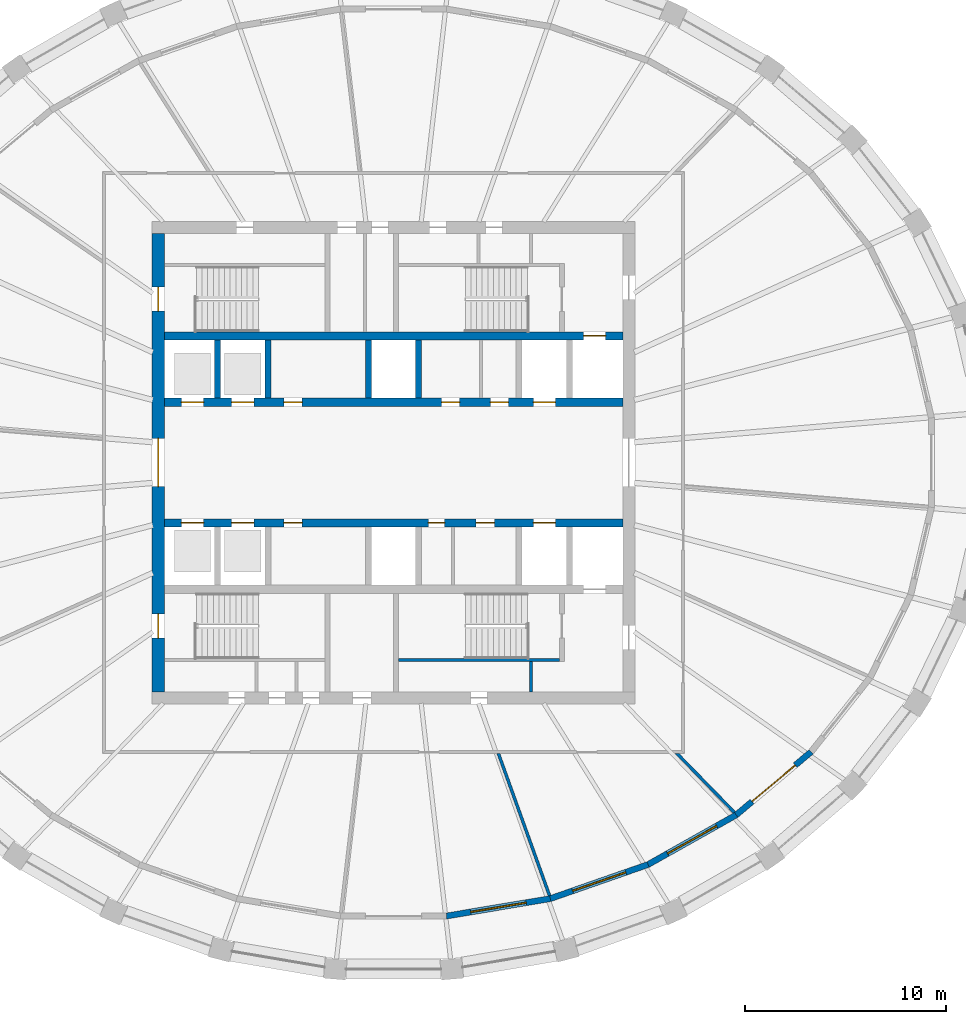
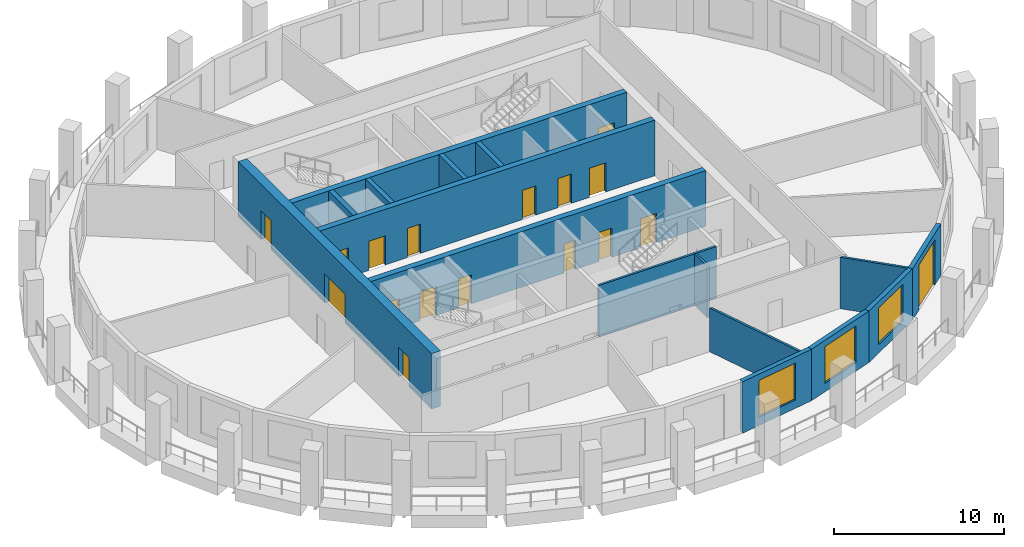
# One storey, part 4 of 10: 17 doors, 16 walls, 3 windows, 20 openings.
"""IFC4 building model written with IfcOpenShell, lengths in metres."""

from ifc_helpers import new_model, si_unit, direction, frame, frame_2d, origin, place, context, subcontext, project, spatial, polyline, rectangle, outline, extrude, material, layer, layer_set, type_object, element, fill, save


model = new_model("IFC4")

# Units and contexts
model_context = context("Model", 3, precision=1e-05, world=origin(), true_north=direction((0.0, 1.0)))
body_context = subcontext(model_context, "Body", "Model", "MODEL_VIEW")
ifc_project = project(units=[si_unit("LENGTHUNIT", "METRE"), si_unit("AREAUNIT", "SQUARE_METRE"), si_unit("VOLUMEUNIT", "CUBIC_METRE"), si_unit("PLANEANGLEUNIT", "RADIAN"), si_unit("MASSUNIT", "GRAM", prefix="KILO")], contexts=[model_context])

# Site, building, storey
site_placement = place(None, origin())
site = spatial("IfcSite", under=ifc_project, at=site_placement, CompositionType="ELEMENT")
building_placement = place(site_placement, origin())
building = spatial("IfcBuilding", under=site, at=building_placement, Name="Halqa Exchange Tower", CompositionType="ELEMENT")
storey_placement = place(building_placement, frame((0.0, 0.0, 284.300048828125)))
storey = spatial("IfcBuildingStorey", under=building, at=storey_placement, Name="L66", CompositionType="ELEMENT", Elevation=284.300048828125)

# Walls
ifc_material_1 = material(Name="Fire-rated gypsum board")
ifc_layer_1 = layer(ifc_material_1, 0.14990234375)
ifc_layer_set_1 = layer_set([ifc_layer_1], Name="Fire-rated gypsum board")
wall_type_1 = type_object("IfcWallType", Name="Fire partition EI 60 150", PredefinedType="PARTITIONING", material=ifc_layer_set_1)
wall_1_placement = place(storey_placement, frame((5.2080078125, -14.449951171875, 0.0), z_axis=(0.0, 0.0, 1.0), x_axis=(0.338585214783, -0.940935732306, 0.0)))
element("IfcWall", 1, at=wall_1_placement, inside=storey, type_object=wall_type_1, Name="L66-PWL-010", PredefinedType="PARTITIONING", context=body_context, shape_type="SweptSolid", body=[
    extrude(outline(polyline([(0.0, -0.074951171875), (1.880126953125, -0.074951171875), (3.76025390625, -0.074951171875), (5.640380859375, -0.074951171875), (7.5205078125, -0.074951171875), (7.533935546875, -0.000732421875), (7.534423828125, 0.054931640625), (7.534423828125, 0.074951171875), (5.664306640625, 0.074951171875), (3.7939453125, 0.074951171875), (1.923828125, 0.074951171875), (0.0537109375, 0.074951171875), (0.0, -0.073974609375), (0.0, -0.074951171875)])), origin(), (0.0, 0.0, 1.0), 3.14990234375),
])
wall_2_placement = place(storey_placement, frame((16.958251953125, -17.40283203125, 0.0), z_axis=(0.0, 0.0, 1.0), x_axis=(-0.698164782934, 0.715937103293, 0.0)))
element("IfcWall", 2, at=wall_2_placement, inside=storey, type_object=wall_type_1, Name="L66-PWL-015", PredefinedType="PARTITIONING", context=body_context, shape_type="SweptSolid", body=[
    extrude(outline(polyline([(0.0, -0.074951171875), (1.3388671875, -0.074951171875), (2.677734375, -0.074951171875), (4.016357421875, -0.074951171875), (4.0693359375, -0.020751953125), (4.0693359375, -0.020751953125), (4.162353515625, 0.07470703125), (4.162353515625, 0.074951171875), (2.783203125, 0.074951171875), (1.404052734375, 0.074951171875), (0.02490234375, 0.074951171875), (0.0048828125, -0.000244140625), (0.0, -0.0673828125), (0.0, -0.074951171875)])), origin(), (0.0, 0.0, 1.0), 3.699951171875),
])
ifc_material_2 = material(Name="Gypsum board")
ifc_layer_2 = layer(ifc_material_2, 0.14990234375)
ifc_layer_set_2 = layer_set([ifc_layer_2], Name="Gypsum board")
wall_type_2 = type_object("IfcWallType", Name="Penthouse riser wall 150 gypsum", PredefinedType="PARTITIONING", material=ifc_layer_set_2)
wall_3_placement = place(storey_placement, frame((6.824951171875, -11.39990234375, 0.0), z_axis=(0.0, 0.0, 1.0), x_axis=(0.0, 1.0, 0.0)))
element("IfcWall", 3, at=wall_3_placement, inside=storey, type_object=wall_type_2, Name="Firefighting lobby west wall S", PredefinedType="PARTITIONING", context=body_context, shape_type="SweptSolid", body=[
    extrude(rectangle(XDim=1.5, YDim=0.14990234375, at=frame_2d((0.75, 0.0))), origin(), (0.0, 0.0, 1.0), 3.699951171875),
])
ifc_material_3 = material(Name="Concrete C60/75", Category="concrete")
ifc_layer_3 = layer(ifc_material_3, 0.300048828125)
ifc_layer_set_3 = layer_set([ifc_layer_3], Name="Concrete C60/75")
wall_type_3 = type_object("IfcWallType", Name="RC core wall 300", PredefinedType="SHEAR", material=ifc_layer_set_3)
for number, where, z_axis, x_axis, name in (
    (4, (-8.75, 3.199951171875, 0.0), (0.0, 0.0, 1.0), (0.0, 1.0, 0.0), "Shaft divider N1"),
    (5, (-6.25, 3.199951171875, 0.0), (0.0, 0.0, 1.0), (0.0, 1.0, 0.0), "Shaft divider N2"),
    (6, (-1.25, 3.199951171875, 0.0), (0.0, 0.0, 1.0), (0.0, 1.0, 0.0), "Shaft divider N4"),
    (7, (1.25, 3.199951171875, 0.0), (0.0, 0.0, 1.0), (0.0, 1.0, 0.0), "Shaft divider N5"),
):
    element("IfcWall", number, at=place(storey_placement, frame(where, z_axis=z_axis, x_axis=x_axis)), inside=storey, type_object=wall_type_3, Name=name, PredefinedType="SHEAR", context=body_context, shape_type="SweptSolid", body=[
        extrude(rectangle(XDim=2.900146484375, YDim=0.300048828125, at=frame_2d((1.4501953125, 0.0))), origin(), (0.0, 0.0, 1.0), 4.0),
    ])

# Wall, openings, doors
ifc_layer_4 = layer(ifc_material_3, 0.39990234375)
ifc_layer_set_4 = layer_set([ifc_layer_4], Name="Concrete C60/75")
wall_type_4 = type_object("IfcWallType", Name="RC core wall 400 C60/75", PredefinedType="SHEAR", material=ifc_layer_set_4)
wall_4_placement = place(storey_placement, frame((-11.39990234375, 3.0, 0.0), z_axis=(0.0, 0.0, 1.0), x_axis=(1.0, 0.0, 0.0)))
wall_4 = element("IfcWall", 8, at=wall_4_placement, inside=storey, type_object=wall_type_4, Name="Lift row front wall N", PredefinedType="SHEAR", context=body_context, shape_type="SweptSolid", body=[
    extrude(rectangle(XDim=22.7998046875, YDim=0.39990234375, at=frame_2d((11.39990234375, 0.0))), origin(), (0.0, 0.0, 1.0), 4.0),
])
opening_1_placement = place(wall_4_placement, frame((0.85009765625, 0.0, 0.0)))
opening_1 = element("IfcOpeningElement", 9, at=opening_1_placement, cuts=wall_4, Name="Opening LD-HR1-T20", PredefinedType="OPENING", context=body_context, shape_type="SweptSolid", body=[
    extrude(rectangle(XDim=1.10009765625, YDim=2.10009765625, at=frame_2d((0.550048828125, 1.050048828125))), frame((0.0, 0.2119140625, 0.0), z_axis=(0.0, -1.0, 0.0), x_axis=(1.0, 0.0, 0.0)), (0.0, 0.0, 1.0), 0.423828125),
])
opening_2_placement = place(wall_4_placement, frame((3.35009765625, 0.0, 0.0)))
opening_2 = element("IfcOpeningElement", 10, at=opening_2_placement, cuts=wall_4, Name="Opening LD-HR2-T20", PredefinedType="OPENING", context=body_context, shape_type="SweptSolid", body=[
    extrude(rectangle(XDim=1.10009765625, YDim=2.10009765625, at=frame_2d((0.550048828125, 1.050048828125))), frame((0.0, 0.2119140625, 0.0), z_axis=(0.0, -1.0, 0.0), x_axis=(1.0, 0.0, 0.0)), (0.0, 0.0, 1.0), 0.423828125),
])
opening_3_placement = place(wall_4_placement, frame((18.35009765625, 0.0, 0.0)))
opening_3 = element("IfcOpeningElement", 11, at=opening_3_placement, cuts=wall_4, Name="Opening LD-SV1-T20", PredefinedType="OPENING", context=body_context, shape_type="SweptSolid", body=[
    extrude(rectangle(XDim=1.10009765625, YDim=2.10009765625, at=frame_2d((0.550048828125, 1.050048828125))), frame((0.0, 0.2119140625, 0.0), z_axis=(0.0, -1.0, 0.0), x_axis=(1.0, 0.0, 0.0)), (0.0, 0.0, 1.0), 0.423828125),
])
opening_4_placement = place(wall_4_placement, frame((13.78759765625, 0.0, 0.0)))
opening_4 = element("IfcOpeningElement", 12, at=opening_4_placement, cuts=wall_4, Name="Opening T20-C27", PredefinedType="OPENING", context=body_context, shape_type="SweptSolid", body=[
    extrude(rectangle(XDim=0.89990234375, YDim=2.10009765625, at=frame_2d((0.449951171875, 1.050048828125))), frame((0.0, 0.2119140625, 0.0), z_axis=(0.0, -1.0, 0.0), x_axis=(1.0, 0.0, 0.0)), (0.0, 0.0, 1.0), 0.423828125),
])
opening_5_placement = place(wall_4_placement, frame((16.21240234375, 0.0, 0.0)))
opening_5 = element("IfcOpeningElement", 13, at=opening_5_placement, cuts=wall_4, Name="Opening T20-C28", PredefinedType="OPENING", context=body_context, shape_type="SweptSolid", body=[
    extrude(rectangle(XDim=0.89990234375, YDim=2.10009765625, at=frame_2d((0.449951171875, 1.050048828125))), frame((0.0, 0.2119140625, 0.0), z_axis=(0.0, -1.0, 0.0), x_axis=(1.0, 0.0, 0.0)), (0.0, 0.0, 1.0), 0.423828125),
])
opening_6_placement = place(wall_4_placement, frame((5.949951171875, 0.0, 0.0)))
opening_6 = element("IfcOpeningElement", 14, at=opening_6_placement, cuts=wall_4, Name="Opening T20-C29", PredefinedType="OPENING", context=body_context, shape_type="SweptSolid", body=[
    extrude(rectangle(XDim=0.89990234375, YDim=2.10009765625, at=frame_2d((0.449951171875, 1.050048828125))), frame((0.0, 0.2119140625, 0.0), z_axis=(0.0, -1.0, 0.0), x_axis=(1.0, 0.0, 0.0)), (0.0, 0.0, 1.0), 0.423828125),
])
ifc_material_4 = material(Name="Timber fire door leaf", Category="wood")
door_type_1 = type_object("IfcDoorType", Name="Core room door FD30 900 x 2100", OperationType="SINGLE_SWING_LEFT", PredefinedType="DOOR", material=ifc_material_4)
door_1_placement = place(opening_4_placement, origin())
door_1 = element("IfcDoor", 15, at=door_1_placement, inside=storey, type_object=door_type_1, Name="Core room door", OperationType="SINGLE_SWING_RIGHT", OverallHeight=2.10009765625, OverallWidth=0.89990234375, PredefinedType="DOOR", context=body_context, shape_type="SweptSolid", body=[
    extrude(rectangle(XDim=0.89990234375, YDim=2.10009765625, at=frame_2d((0.449951171875, 1.050048828125))), frame((0.0, 0.02490234375, 0.0), z_axis=(0.0, -1.0, 0.0), x_axis=(1.0, 0.0, 0.0)), (0.0, 0.0, 1.0), 0.050048828125),
])
fill(opening_4, door_1)
door_2_placement = place(opening_5_placement, origin())
door_2 = element("IfcDoor", 16, at=door_2_placement, inside=storey, type_object=door_type_1, Name="Core room door", OperationType="SINGLE_SWING_LEFT", OverallHeight=2.10009765625, OverallWidth=0.89990234375, PredefinedType="DOOR", context=body_context, shape_type="SweptSolid", body=[
    extrude(rectangle(XDim=0.89990234375, YDim=2.10009765625, at=frame_2d((0.449951171875, 1.050048828125))), frame((0.0, 0.02490234375, 0.0), z_axis=(0.0, -1.0, 0.0), x_axis=(1.0, 0.0, 0.0)), (0.0, 0.0, 1.0), 0.050048828125),
])
fill(opening_5, door_2)
door_3_placement = place(opening_6_placement, origin())
door_3 = element("IfcDoor", 17, at=door_3_placement, inside=storey, type_object=door_type_1, Name="Core room door", OperationType="SINGLE_SWING_RIGHT", OverallHeight=2.10009765625, OverallWidth=0.89990234375, PredefinedType="DOOR", context=body_context, shape_type="SweptSolid", body=[
    extrude(rectangle(XDim=0.89990234375, YDim=2.10009765625, at=frame_2d((0.449951171875, 1.050048828125))), frame((0.0, 0.02490234375, 0.0), z_axis=(0.0, -1.0, 0.0), x_axis=(1.0, 0.0, 0.0)), (0.0, 0.0, 1.0), 0.050048828125),
])
fill(opening_6, door_3)
ifc_material_5 = material(Name="Stainless steel", Category="steel")
door_type_2 = type_object("IfcDoorType", Name="Lift landing door 1100 x 2100", OperationType="SLIDING_TO_LEFT", PredefinedType="DOOR", material=ifc_material_5)
door_4_placement = place(opening_1_placement, origin())
door_4 = element("IfcDoor", 18, at=door_4_placement, inside=storey, type_object=door_type_2, Name="Lift landing door HR1", OperationType="SLIDING_TO_LEFT", OverallHeight=2.10009765625, OverallWidth=1.10009765625, PredefinedType="DOOR", context=body_context, shape_type="SweptSolid", body=[
    extrude(rectangle(XDim=1.10009765625, YDim=2.10009765625, at=frame_2d((0.550048828125, 1.050048828125))), frame((0.0, 0.02490234375, 0.0), z_axis=(0.0, -1.0, 0.0), x_axis=(1.0, 0.0, 0.0)), (0.0, 0.0, 1.0), 0.050048828125),
])
fill(opening_1, door_4)
door_5_placement = place(opening_2_placement, origin())
door_5 = element("IfcDoor", 19, at=door_5_placement, inside=storey, type_object=door_type_2, Name="Lift landing door HR2", OperationType="SLIDING_TO_LEFT", OverallHeight=2.10009765625, OverallWidth=1.10009765625, PredefinedType="DOOR", context=body_context, shape_type="SweptSolid", body=[
    extrude(rectangle(XDim=1.10009765625, YDim=2.10009765625, at=frame_2d((0.550048828125, 1.050048828125))), frame((0.0, 0.02490234375, 0.0), z_axis=(0.0, -1.0, 0.0), x_axis=(1.0, 0.0, 0.0)), (0.0, 0.0, 1.0), 0.050048828125),
])
fill(opening_2, door_5)
door_6_placement = place(opening_3_placement, origin())
door_6 = element("IfcDoor", 20, at=door_6_placement, inside=storey, type_object=door_type_2, Name="Lift landing door SV1", OperationType="SLIDING_TO_LEFT", OverallHeight=2.10009765625, OverallWidth=1.10009765625, PredefinedType="DOOR", context=body_context, shape_type="SweptSolid", body=[
    extrude(rectangle(XDim=1.10009765625, YDim=2.10009765625, at=frame_2d((0.550048828125, 1.050048828125))), frame((0.0, 0.02490234375, 0.0), z_axis=(0.0, -1.0, 0.0), x_axis=(1.0, 0.0, 0.0)), (0.0, 0.0, 1.0), 0.050048828125),
])
fill(opening_3, door_6)

# Wall, opening, door
wall_5_placement = place(storey_placement, frame((-11.39990234375, 6.300048828125, 0.0), z_axis=(0.0, 0.0, 1.0), x_axis=(1.0, 0.0, 0.0)))
wall_5 = element("IfcWall", 21, at=wall_5_placement, inside=storey, type_object=wall_type_4, Name="Lift row back wall N", PredefinedType="SHEAR", context=body_context, shape_type="SweptSolid", body=[
    extrude(rectangle(XDim=22.7998046875, YDim=0.39990234375, at=frame_2d((11.39990234375, 0.0))), origin(), (0.0, 0.0, 1.0), 4.0),
])
opening_7_placement = place(wall_5_placement, frame((20.85009765625, 0.0, 0.0)))
opening_7 = element("IfcOpeningElement", 22, at=opening_7_placement, cuts=wall_5, Name="Opening LD-FF1-T20", PredefinedType="OPENING", context=body_context, shape_type="SweptSolid", body=[
    extrude(rectangle(XDim=1.10009765625, YDim=2.10009765625, at=frame_2d((0.550048828125, 1.050048828125))), frame((0.0, 0.2119140625, 0.0), z_axis=(0.0, -1.0, 0.0), x_axis=(1.0, 0.0, 0.0)), (0.0, 0.0, 1.0), 0.423828125),
])
door_7_placement = place(opening_7_placement, origin())
door_7 = element("IfcDoor", 23, at=door_7_placement, inside=storey, type_object=door_type_2, Name="Lift landing door FF1", OperationType="SLIDING_TO_LEFT", OverallHeight=2.10009765625, OverallWidth=1.10009765625, PredefinedType="DOOR", context=body_context, shape_type="SweptSolid", body=[
    extrude(rectangle(XDim=1.10009765625, YDim=2.10009765625, at=frame_2d((0.550048828125, 1.050048828125))), frame((0.0, 0.02490234375, 0.0), z_axis=(0.0, -1.0, 0.0), x_axis=(1.0, 0.0, 0.0)), (0.0, 0.0, 1.0), 0.050048828125),
])
fill(opening_7, door_7)

# Wall, openings, doors
wall_6_placement = place(storey_placement, frame((-11.39990234375, -3.0, 0.0), z_axis=(0.0, 0.0, 1.0), x_axis=(1.0, 0.0, 0.0)))
wall_6 = element("IfcWall", 24, at=wall_6_placement, inside=storey, type_object=wall_type_4, Name="Lift row front wall S", PredefinedType="SHEAR", context=body_context, shape_type="SweptSolid", body=[
    extrude(rectangle(XDim=22.7998046875, YDim=0.39990234375, at=frame_2d((11.39990234375, 0.0))), origin(), (0.0, 0.0, 1.0), 4.0),
])
opening_8_placement = place(wall_6_placement, frame((0.85009765625, 0.0, 0.0)))
opening_8 = element("IfcOpeningElement", 25, at=opening_8_placement, cuts=wall_6, Name="Opening LD-HR3-T20", PredefinedType="OPENING", context=body_context, shape_type="SweptSolid", body=[
    extrude(rectangle(XDim=1.10009765625, YDim=2.10009765625, at=frame_2d((0.550048828125, 1.050048828125))), frame((0.0, 0.2119140625, 0.0), z_axis=(0.0, -1.0, 0.0), x_axis=(1.0, 0.0, 0.0)), (0.0, 0.0, 1.0), 0.423828125),
])
opening_9_placement = place(wall_6_placement, frame((3.35009765625, 0.0, 0.0)))
opening_9 = element("IfcOpeningElement", 26, at=opening_9_placement, cuts=wall_6, Name="Opening LD-HR4-T20", PredefinedType="OPENING", context=body_context, shape_type="SweptSolid", body=[
    extrude(rectangle(XDim=1.10009765625, YDim=2.10009765625, at=frame_2d((0.550048828125, 1.050048828125))), frame((0.0, 0.2119140625, 0.0), z_axis=(0.0, -1.0, 0.0), x_axis=(1.0, 0.0, 0.0)), (0.0, 0.0, 1.0), 0.423828125),
])
opening_10_placement = place(wall_6_placement, frame((18.35009765625, 0.0, 0.0)))
opening_10 = element("IfcOpeningElement", 27, at=opening_10_placement, cuts=wall_6, Name="Opening LD-SV2-T20", PredefinedType="OPENING", context=body_context, shape_type="SweptSolid", body=[
    extrude(rectangle(XDim=1.10009765625, YDim=2.10009765625, at=frame_2d((0.550048828125, 1.050048828125))), frame((0.0, 0.2119140625, 0.0), z_axis=(0.0, -1.0, 0.0), x_axis=(1.0, 0.0, 0.0)), (0.0, 0.0, 1.0), 0.423828125),
])
opening_11_placement = place(wall_6_placement, frame((13.137451171875, 0.0, 0.0)))
opening_11 = element("IfcOpeningElement", 28, at=opening_11_placement, cuts=wall_6, Name="Opening T20-C30", PredefinedType="OPENING", context=body_context, shape_type="SweptSolid", body=[
    extrude(rectangle(XDim=0.800048828125, YDim=2.10009765625, at=frame_2d((0.39990234375, 1.050048828125))), frame((0.0, 0.2119140625, 0.0), z_axis=(0.0, -1.0, 0.0), x_axis=(1.0, 0.0, 0.0)), (0.0, 0.0, 1.0), 0.423828125),
])
opening_12_placement = place(wall_6_placement, frame((15.512451171875, 0.0, 0.0)))
opening_12 = element("IfcOpeningElement", 29, at=opening_12_placement, cuts=wall_6, Name="Opening T20-C31", PredefinedType="OPENING", context=body_context, shape_type="SweptSolid", body=[
    extrude(rectangle(XDim=0.89990234375, YDim=2.10009765625, at=frame_2d((0.449951171875, 1.050048828125))), frame((0.0, 0.2119140625, 0.0), z_axis=(0.0, -1.0, 0.0), x_axis=(1.0, 0.0, 0.0)), (0.0, 0.0, 1.0), 0.423828125),
])
opening_13_placement = place(wall_6_placement, frame((5.949951171875, 0.0, 0.0)))
opening_13 = element("IfcOpeningElement", 30, at=opening_13_placement, cuts=wall_6, Name="Opening T20-C32", PredefinedType="OPENING", context=body_context, shape_type="SweptSolid", body=[
    extrude(rectangle(XDim=0.89990234375, YDim=2.10009765625, at=frame_2d((0.449951171875, 1.050048828125))), frame((0.0, 0.2119140625, 0.0), z_axis=(0.0, -1.0, 0.0), x_axis=(1.0, 0.0, 0.0)), (0.0, 0.0, 1.0), 0.423828125),
])
door_8_placement = place(opening_12_placement, frame((0.89990234375, 0.0, 0.0), z_axis=(0.0, 0.0, 1.0), x_axis=(-1.0, 0.0, 0.0)))
door_8 = element("IfcDoor", 31, at=door_8_placement, inside=storey, type_object=door_type_1, Name="Core room door", OperationType="SINGLE_SWING_LEFT", OverallHeight=2.10009765625, OverallWidth=0.89990234375, PredefinedType="DOOR", context=body_context, shape_type="SweptSolid", body=[
    extrude(rectangle(XDim=0.89990234375, YDim=2.10009765625, at=frame_2d((0.449951171875, 1.050048828125))), frame((0.0, 0.02490234375, 0.0), z_axis=(0.0, -1.0, 0.0), x_axis=(1.0, 0.0, 0.0)), (0.0, 0.0, 1.0), 0.050048828125),
])
fill(opening_12, door_8)
door_9_placement = place(opening_13_placement, frame((0.89990234375, 0.0, 0.0), z_axis=(0.0, 0.0, 1.0), x_axis=(-1.0, 0.0, 0.0)))
door_9 = element("IfcDoor", 32, at=door_9_placement, inside=storey, type_object=door_type_1, Name="Core room door", OperationType="SINGLE_SWING_LEFT", OverallHeight=2.10009765625, OverallWidth=0.89990234375, PredefinedType="DOOR", context=body_context, shape_type="SweptSolid", body=[
    extrude(rectangle(XDim=0.89990234375, YDim=2.10009765625, at=frame_2d((0.449951171875, 1.050048828125))), frame((0.0, 0.02490234375, 0.0), z_axis=(0.0, -1.0, 0.0), x_axis=(1.0, 0.0, 0.0)), (0.0, 0.0, 1.0), 0.050048828125),
])
fill(opening_13, door_9)
door_10_placement = place(opening_8_placement, origin())
door_10 = element("IfcDoor", 33, at=door_10_placement, inside=storey, type_object=door_type_2, Name="Lift landing door HR3", OperationType="SLIDING_TO_LEFT", OverallHeight=2.10009765625, OverallWidth=1.10009765625, PredefinedType="DOOR", context=body_context, shape_type="SweptSolid", body=[
    extrude(rectangle(XDim=1.10009765625, YDim=2.10009765625, at=frame_2d((0.550048828125, 1.050048828125))), frame((0.0, 0.02490234375, 0.0), z_axis=(0.0, -1.0, 0.0), x_axis=(1.0, 0.0, 0.0)), (0.0, 0.0, 1.0), 0.050048828125),
])
fill(opening_8, door_10)
door_11_placement = place(opening_9_placement, origin())
door_11 = element("IfcDoor", 34, at=door_11_placement, inside=storey, type_object=door_type_2, Name="Lift landing door HR4", OperationType="SLIDING_TO_LEFT", OverallHeight=2.10009765625, OverallWidth=1.10009765625, PredefinedType="DOOR", context=body_context, shape_type="SweptSolid", body=[
    extrude(rectangle(XDim=1.10009765625, YDim=2.10009765625, at=frame_2d((0.550048828125, 1.050048828125))), frame((0.0, 0.02490234375, 0.0), z_axis=(0.0, -1.0, 0.0), x_axis=(1.0, 0.0, 0.0)), (0.0, 0.0, 1.0), 0.050048828125),
])
fill(opening_9, door_11)
door_12_placement = place(opening_10_placement, origin())
door_12 = element("IfcDoor", 35, at=door_12_placement, inside=storey, type_object=door_type_2, Name="Lift landing door SV2", OperationType="SLIDING_TO_LEFT", OverallHeight=2.10009765625, OverallWidth=1.10009765625, PredefinedType="DOOR", context=body_context, shape_type="SweptSolid", body=[
    extrude(rectangle(XDim=1.10009765625, YDim=2.10009765625, at=frame_2d((0.550048828125, 1.050048828125))), frame((0.0, 0.02490234375, 0.0), z_axis=(0.0, -1.0, 0.0), x_axis=(1.0, 0.0, 0.0)), (0.0, 0.0, 1.0), 0.050048828125),
])
fill(opening_10, door_12)
ifc_material_6 = material(Name="Steel fire door leaf", Category="steel")
door_type_3 = type_object("IfcDoorType", Name="Riser door FD60 800 x 2100", OperationType="SINGLE_SWING_LEFT", PredefinedType="DOOR", material=ifc_material_6)
door_13_placement = place(opening_11_placement, frame((0.800048828125, 0.0, 0.0), z_axis=(0.0, 0.0, 1.0), x_axis=(-1.0, 0.0, 0.0)))
door_13 = element("IfcDoor", 36, at=door_13_placement, inside=storey, type_object=door_type_3, Name="Core room door", OperationType="SINGLE_SWING_LEFT", OverallHeight=2.10009765625, OverallWidth=0.800048828125, PredefinedType="DOOR", context=body_context, shape_type="SweptSolid", body=[
    extrude(rectangle(XDim=0.800048828125, YDim=2.10009765625, at=frame_2d((0.39990234375, 1.050048828125))), frame((0.0, 0.02490234375, 0.0), z_axis=(0.0, -1.0, 0.0), x_axis=(1.0, 0.0, 0.0)), (0.0, 0.0, 1.0), 0.050048828125),
])
fill(opening_11, door_13)

ifc_layer_5 = layer(ifc_material_3, 0.60009765625)
ifc_layer_set_5 = layer_set([ifc_layer_5], Name="Concrete C60/75")
wall_type_5 = type_object("IfcWallType", Name="RC core wall 600 C60/75", PredefinedType="SHEAR", material=ifc_layer_set_5)
wall_7_placement = place(storey_placement, frame((-11.699951171875, -11.39990234375, 0.0), z_axis=(0.0, 0.0, 1.0), x_axis=(0.0, 1.0, 0.0)))
wall_7 = element("IfcWall", 37, at=wall_7_placement, inside=storey, type_object=wall_type_5, Name="Core wall west", PredefinedType="SHEAR", context=body_context, shape_type="SweptSolid", body=[
    extrude(rectangle(XDim=22.7998046875, YDim=0.60009765625, at=frame_2d((11.39990234375, 0.0))), origin(), (0.0, 0.0, 1.0), 4.0),
])
opening_14_placement = place(wall_7_placement, frame((10.199951171875, 0.0, 0.0)))
opening_14 = element("IfcOpeningElement", 38, at=opening_14_placement, cuts=wall_7, Name="Opening T20-C09", PredefinedType="OPENING", context=body_context, shape_type="SweptSolid", body=[
    extrude(rectangle(XDim=2.39990234375, YDim=2.10009765625, at=frame_2d((1.199951171875, 1.050048828125))), frame((0.0, 0.31201171875, 0.0), z_axis=(0.0, -1.0, 0.0), x_axis=(1.0, 0.0, 0.0)), (0.0, 0.0, 1.0), 0.6240234375),
])
opening_15_placement = place(wall_7_placement, frame((18.925048828125, 0.0, 0.0)))
opening_15 = element("IfcOpeningElement", 39, at=opening_15_placement, cuts=wall_7, Name="Opening T20-C11", PredefinedType="OPENING", context=body_context, shape_type="SweptSolid", body=[
    extrude(rectangle(XDim=1.199951171875, YDim=2.10009765625, at=frame_2d((0.60009765625, 1.050048828125))), frame((0.0, 0.31201171875, 0.0), z_axis=(0.0, -1.0, 0.0), x_axis=(1.0, 0.0, 0.0)), (0.0, 0.0, 1.0), 0.6240234375),
])
opening_16_placement = place(wall_7_placement, frame((2.675048828125, 0.0, 0.0)))
opening_16 = element("IfcOpeningElement", 40, at=opening_16_placement, cuts=wall_7, Name="Opening T20-C13", PredefinedType="OPENING", context=body_context, shape_type="SweptSolid", body=[
    extrude(rectangle(XDim=1.199951171875, YDim=2.10009765625, at=frame_2d((0.60009765625, 1.050048828125))), frame((0.0, 0.31201171875, 0.0), z_axis=(0.0, -1.0, 0.0), x_axis=(1.0, 0.0, 0.0)), (0.0, 0.0, 1.0), 0.6240234375),
])
door_type_4 = type_object("IfcDoorType", Name="Lobby double door FD60 2400 x 2100", OperationType="DOUBLE_DOOR_SINGLE_SWING", PredefinedType="DOOR", material=ifc_material_6)
door_14_placement = place(opening_14_placement, frame((2.39990234375, 0.0, 0.0), z_axis=(0.0, 0.0, 1.0), x_axis=(-1.0, 0.0, 0.0)))
door_14 = element("IfcDoor", 41, at=door_14_placement, inside=storey, type_object=door_type_4, Name="Lift lobby double door", OperationType="DOUBLE_DOOR_SINGLE_SWING", OverallHeight=2.10009765625, OverallWidth=2.39990234375, PredefinedType="DOOR", context=body_context, shape_type="SweptSolid", body=[
    extrude(rectangle(XDim=2.39990234375, YDim=2.10009765625, at=frame_2d((1.199951171875, 1.050048828125))), frame((0.0, 0.02490234375, 0.0), z_axis=(0.0, -1.0, 0.0), x_axis=(1.0, 0.0, 0.0)), (0.0, 0.0, 1.0), 0.050048828125),
])
fill(opening_14, door_14)
door_type_5 = type_object("IfcDoorType", Name="Stair door FD90 1200 x 2100", OperationType="SINGLE_SWING_LEFT", PredefinedType="DOOR", material=ifc_material_6)
door_15_placement = place(opening_15_placement, frame((1.199951171875, 0.0, 0.0), z_axis=(0.0, 0.0, 1.0), x_axis=(-1.0, 0.0, 0.0)))
door_15 = element("IfcDoor", 42, at=door_15_placement, inside=storey, type_object=door_type_5, Name="Stair door ST1", OperationType="SINGLE_SWING_LEFT", OverallHeight=2.10009765625, OverallWidth=1.199951171875, PredefinedType="DOOR", context=body_context, shape_type="SweptSolid", body=[
    extrude(rectangle(XDim=1.199951171875, YDim=2.10009765625, at=frame_2d((0.60009765625, 1.050048828125))), frame((0.0, 0.02490234375, 0.0), z_axis=(0.0, -1.0, 0.0), x_axis=(1.0, 0.0, 0.0)), (0.0, 0.0, 1.0), 0.050048828125),
])
fill(opening_15, door_15)
door_16_placement = place(opening_16_placement, frame((1.199951171875, 0.0, 0.0), z_axis=(0.0, 0.0, 1.0), x_axis=(-1.0, 0.0, 0.0)))
door_16 = element("IfcDoor", 43, at=door_16_placement, inside=storey, type_object=door_type_5, Name="Stair door ST3", OperationType="SINGLE_SWING_LEFT", OverallHeight=2.10009765625, OverallWidth=1.199951171875, PredefinedType="DOOR", context=body_context, shape_type="SweptSolid", body=[
    extrude(rectangle(XDim=1.199951171875, YDim=2.10009765625, at=frame_2d((0.60009765625, 1.050048828125))), frame((0.0, 0.02490234375, 0.0), z_axis=(0.0, -1.0, 0.0), x_axis=(1.0, 0.0, 0.0)), (0.0, 0.0, 1.0), 0.050048828125),
])
fill(opening_16, door_16)

# Wall
ifc_material_7 = material(Name="Concrete C30/37", Category="concrete")
ifc_layer_6 = layer(ifc_material_7, 0.14990234375)
ifc_layer_set_6 = layer_set([ifc_layer_6], Name="Concrete C30/37")
wall_type_6 = type_object("IfcWallType", Name="RC stair wall 150 C30/37", PredefinedType="SHEAR", material=ifc_layer_set_6)
wall_8_placement = place(storey_placement, frame((0.25, -9.824951171875, 0.0), z_axis=(0.0, 0.0, 1.0), x_axis=(1.0, 0.0, 0.0)))
element("IfcWall", 44, at=wall_8_placement, inside=storey, type_object=wall_type_6, Name="Stair ST2 north wall S", PredefinedType="SHEAR", context=body_context, shape_type="SweptSolid", body=[
    extrude(rectangle(XDim=8.0, YDim=0.14990234375, at=frame_2d((4.0, 0.0))), origin(), (0.0, 0.0, 1.0), 3.699951171875),
])

# Wall, opening, window
ifc_material_8 = material(Name="Limestone cladding", Category="masonry")
ifc_layer_7 = layer(ifc_material_8, 0.0400390625)
ifc_material_9 = material(Name="Ventilated cavity")
ifc_layer_8 = layer(ifc_material_9, 0.030029296875, ventilated=True)
ifc_material_10 = material(Name="Mineral wool insulation")
ifc_layer_9 = layer(ifc_material_10, 0.10009765625)
ifc_layer_10 = layer(ifc_material_7, 0.10009765625)
ifc_material_11 = material(Name="Internal plaster")
ifc_layer_11 = layer(ifc_material_11, 0.030029296875)
ifc_layer_set_7 = layer_set([ifc_layer_7, ifc_layer_8, ifc_layer_9, ifc_layer_10, ifc_layer_11], Name="Stone-faced insulated wall 300")
wall_type_7 = type_object("IfcWallType", Name="Stone-faced insulated wall 300", PredefinedType="STANDARD", material=ifc_layer_set_7)
wall_9_placement = place(storey_placement, frame((2.632080078125, -22.5498046875, 0.0), z_axis=(0.0, 0.0, 1.0), x_axis=(0.986257472007, 0.165215613396, 0.0)))
wall_9 = element("IfcWall", 45, at=wall_9_placement, inside=storey, type_object=wall_type_7, Name="Glass-line wall 25", PredefinedType="STANDARD", context=body_context, shape_type="SweptSolid", body=[
    extrude(outline(polyline([(-0.012451171875, -0.14990234375), (5.248291015625, -0.14990234375), (5.222900390625, 0.14990234375), (0.012451171875, 0.14990234375), (-0.012451171875, -0.14990234375)])), origin(), (0.0, 0.0, 1.0), 3.699951171875),
])
opening_17_placement = place(wall_9_placement, frame((1.2177734375, 0.0, 0.60009765625)))
opening_17 = element("IfcOpeningElement", 46, at=opening_17_placement, cuts=wall_9, Name="Opening W-F4-25", PredefinedType="OPENING", context=body_context, shape_type="SweptSolid", body=[
    extrude(rectangle(XDim=2.800048828125, YDim=2.64990234375, at=frame_2d((1.39990234375, 1.324951171875))), frame((0.0, 0.162109375, 0.0), z_axis=(0.0, -1.0, 0.0), x_axis=(1.0, 0.0, 0.0)), (0.0, 0.0, 1.0), 0.323974609375),
])
ifc_material_12 = material(Name="Clear low-emissivity glass in aluminium frame", Category="aluminium")
window_type = type_object("IfcWindowType", Name="Fixed clear glazed window 2800 x 2650", PartitioningType="DOUBLE_PANEL_VERTICAL", PredefinedType="WINDOW", material=ifc_material_12)
window_1_placement = place(opening_17_placement, origin())
window_1 = element("IfcWindow", 47, at=window_1_placement, inside=storey, type_object=window_type, Name="Window 4", OverallHeight=2.64990234375, OverallWidth=2.800048828125, PartitioningType="DOUBLE_PANEL_VERTICAL", PredefinedType="WINDOW", context=body_context, shape_type="SweptSolid", body=[
    extrude(rectangle(XDim=2.800048828125, YDim=2.64990234375, at=frame_2d((1.39990234375, 1.324951171875))), frame((0.0, 0.030029296875, 0.0), z_axis=(0.0, -1.0, 0.0), x_axis=(1.0, 0.0, 0.0)), (0.0, 0.0, 1.0), 0.06005859375),
])
fill(opening_17, window_1)

wall_10_placement = place(storey_placement, frame((7.795654296875, -21.684814453125, 0.0), z_axis=(0.0, 0.0, 1.0), x_axis=(0.944204293701, 0.329360367617, 0.0)))
wall_10 = element("IfcWall", 48, at=wall_10_placement, inside=storey, type_object=wall_type_7, Name="Glass-line wall 26", PredefinedType="STANDARD", context=body_context, shape_type="SweptSolid", body=[
    extrude(outline(polyline([(-0.0126953125, -0.14990234375), (5.165771484375, -0.14990234375), (5.139404296875, 0.14990234375), (0.0126953125, 0.14990234375), (-0.0126953125, -0.14990234375)])), origin(), (0.0, 0.0, 1.0), 3.699951171875),
])
opening_18_placement = place(wall_10_placement, frame((1.17626953125, 0.0, 0.60009765625)))
opening_18 = element("IfcOpeningElement", 49, at=opening_18_placement, cuts=wall_10, Name="Opening W-F4-26", PredefinedType="OPENING", context=body_context, shape_type="SweptSolid", body=[
    extrude(rectangle(XDim=2.800048828125, YDim=2.64990234375, at=frame_2d((1.39990234375, 1.324951171875))), frame((0.0, 0.162109375, 0.0), z_axis=(0.0, -1.0, 0.0), x_axis=(1.0, 0.0, 0.0)), (0.0, 0.0, 1.0), 0.323974609375),
])
window_2_placement = place(opening_18_placement, origin())
window_2 = element("IfcWindow", 50, at=window_2_placement, inside=storey, type_object=window_type, Name="Window 4", OverallHeight=2.64990234375, OverallWidth=2.800048828125, PartitioningType="DOUBLE_PANEL_VERTICAL", PredefinedType="WINDOW", context=body_context, shape_type="SweptSolid", body=[
    extrude(rectangle(XDim=2.800048828125, YDim=2.64990234375, at=frame_2d((1.39990234375, 1.324951171875))), frame((0.0, 0.030029296875, 0.0), z_axis=(0.0, -1.0, 0.0), x_axis=(1.0, 0.0, 0.0)), (0.0, 0.0, 1.0), 0.06005859375),
])
fill(opening_18, window_2)

wall_11_placement = place(storey_placement, frame((12.66064453125, -19.98779296875, 0.0), z_axis=(0.0, 0.0, 1.0), x_axis=(0.871488606878, 0.490415750239, 0.0)))
wall_11 = element("IfcWall", 51, at=wall_11_placement, inside=storey, type_object=wall_type_7, Name="Glass-line wall 27", PredefinedType="STANDARD", context=body_context, shape_type="SweptSolid", body=[
    extrude(outline(polyline([(-0.01318359375, -0.14990234375), (5.040283203125, -0.14990234375), (5.011962890625, 0.14990234375), (0.01318359375, 0.14990234375), (-0.01318359375, -0.14990234375)])), origin(), (0.0, 0.0, 1.0), 3.699951171875),
])
opening_19_placement = place(wall_11_placement, frame((1.113037109375, 0.0, 0.60009765625)))
opening_19 = element("IfcOpeningElement", 52, at=opening_19_placement, cuts=wall_11, Name="Opening W-F4-27", PredefinedType="OPENING", context=body_context, shape_type="SweptSolid", body=[
    extrude(rectangle(XDim=2.800048828125, YDim=2.64990234375, at=frame_2d((1.39990234375, 1.324951171875))), frame((0.0, 0.162109375, 0.0), z_axis=(0.0, -1.0, 0.0), x_axis=(1.0, 0.0, 0.0)), (0.0, 0.0, 1.0), 0.323974609375),
])
window_3_placement = place(opening_19_placement, origin())
window_3 = element("IfcWindow", 53, at=window_3_placement, inside=storey, type_object=window_type, Name="Window 4", OverallHeight=2.64990234375, OverallWidth=2.800048828125, PartitioningType="DOUBLE_PANEL_VERTICAL", PredefinedType="WINDOW", context=body_context, shape_type="SweptSolid", body=[
    extrude(rectangle(XDim=2.800048828125, YDim=2.64990234375, at=frame_2d((1.39990234375, 1.324951171875))), frame((0.0, 0.030029296875, 0.0), z_axis=(0.0, -1.0, 0.0), x_axis=(1.0, 0.0, 0.0)), (0.0, 0.0, 1.0), 0.06005859375),
])
fill(opening_19, window_3)

# Wall, opening, door
wall_12_placement = place(storey_placement, frame((17.040771484375, -17.52294921875, 0.0), z_axis=(0.0, 0.0, 1.0), x_axis=(0.764876116592, 0.644177402792, 0.0)))
wall_12 = element("IfcWall", 54, at=wall_12_placement, inside=storey, type_object=wall_type_7, Name="Glass-line wall 28", PredefinedType="STANDARD", context=body_context, shape_type="SweptSolid", body=[
    extrude(outline(polyline([(-0.01416015625, -0.14990234375), (4.887939453125, -0.14990234375), (4.857666015625, 0.14990234375), (0.01416015625, 0.14990234375), (-0.01416015625, -0.14990234375)])), origin(), (0.0, 0.0, 1.0), 3.699951171875),
])
opening_20_placement = place(wall_12_placement, frame((1.036376953125, 0.0, 0.0)))
opening_20 = element("IfcOpeningElement", 55, at=opening_20_placement, cuts=wall_12, Name="Opening LG-F4-07", PredefinedType="OPENING", context=body_context, shape_type="SweptSolid", body=[
    extrude(rectangle(XDim=2.800048828125, YDim=3.25, at=frame_2d((1.39990234375, 1.625))), frame((0.0, 0.162109375, 0.0), z_axis=(0.0, -1.0, 0.0), x_axis=(1.0, 0.0, 0.0)), (0.0, 0.0, 1.0), 0.323974609375),
])
door_type_6 = type_object("IfcDoorType", Name="Glazed sliding loggia door 2800 x 3250", OperationType="DOUBLE_DOOR_SLIDING", PredefinedType="DOOR", material=ifc_material_12)
door_17_placement = place(opening_20_placement, origin())
door_17 = element("IfcDoor", 56, at=door_17_placement, inside=storey, type_object=door_type_6, Name="Loggia door 7", OperationType="DOUBLE_DOOR_SLIDING", OverallHeight=3.25, OverallWidth=2.800048828125, PredefinedType="DOOR", context=body_context, shape_type="SweptSolid", body=[
    extrude(rectangle(XDim=2.800048828125, YDim=3.25, at=frame_2d((1.39990234375, 1.625))), frame((0.0, 0.02490234375, 0.0), z_axis=(0.0, -1.0, 0.0), x_axis=(1.0, 0.0, 0.0)), (0.0, 0.0, 1.0), 0.050048828125),
])
fill(opening_20, door_17)

save(model, "model.ifc")
